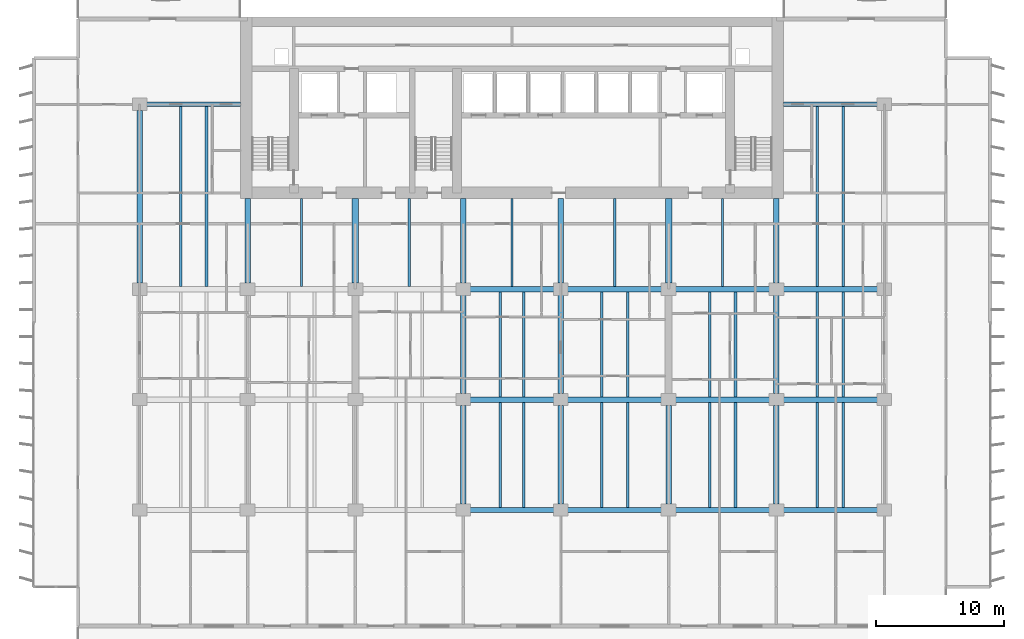
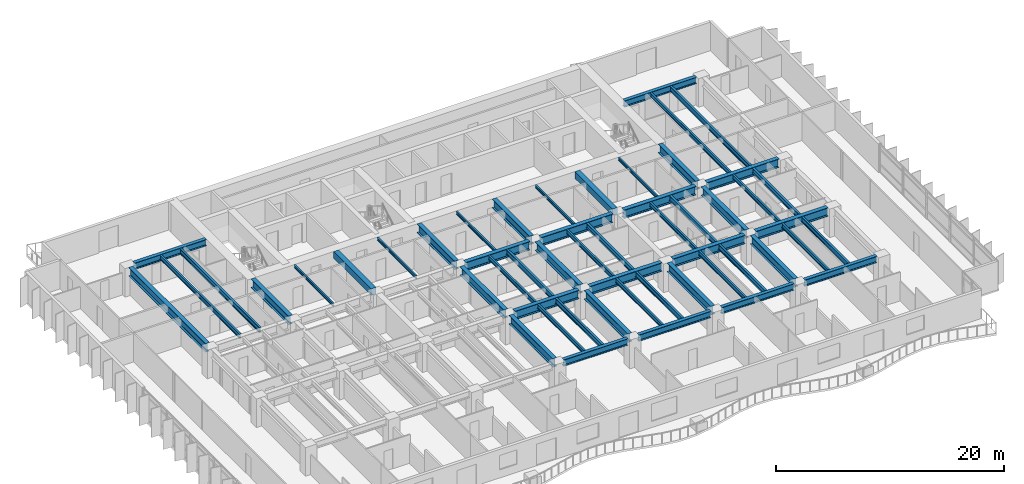
# One storey, part 3 of 17: 53 beams.
"""IFC4 building model written with IfcOpenShell, lengths in metres."""

from ifc_helpers import new_model, si_unit, direction, frame, origin, origin_2d, place, context, subcontext, project, spatial, rectangle, i_section, extrude, material, material_profile, profile_set, type_object, element, save


model = new_model("IFC4")

# Units and contexts
model_context = context("Model", 3, precision=1e-05, world=origin(), true_north=direction((0.0, 1.0)))
body_context = subcontext(model_context, "Body", "Model", "MODEL_VIEW")
ifc_project = project(units=[si_unit("LENGTHUNIT", "METRE"), si_unit("AREAUNIT", "SQUARE_METRE"), si_unit("VOLUMEUNIT", "CUBIC_METRE"), si_unit("PLANEANGLEUNIT", "RADIAN"), si_unit("MASSUNIT", "GRAM", prefix="KILO")], contexts=[model_context])

# Site, building, storey
site_placement = place(None, origin())
site = spatial("IfcSite", under=ifc_project, at=site_placement, CompositionType="ELEMENT")
building_placement = place(site_placement, origin())
building = spatial("IfcBuilding", under=site, at=building_placement, Name="Caelmar Bay Residences", CompositionType="ELEMENT")
storey_placement = place(building_placement, frame((0.0, 0.0, 33.300048828125)))
storey = spatial("IfcBuildingStorey", under=building, at=storey_placement, Name="L07", CompositionType="ELEMENT", Elevation=33.300048828125)

# Beams
ifc_material_1 = material(Name="Steel ASTM A992 Grade 50", Category="steel")
ifc_material_profile_1 = material_profile(ifc_material_1, i_section(OverallWidth=0.422119140625, OverallDepth=0.925048828125, WebThickness=0.021240234375, FlangeThickness=0.03662109375, FilletRadius=0.020263671875, at=origin_2d()), Name="W36X262")
ifc_profile_set_1 = profile_set([ifc_material_profile_1], Name="Steel ASTM A992 Grade 50")
beam_type_1 = type_object("IfcBeamType", Name="BM-GRD-W36X262", PredefinedType="BEAM", material=ifc_profile_set_1)
beam_1_placement = place(storey_placement, frame((35.639892578125, 20.800048828125, 2.58740234375), z_axis=(1.0, 0.0, 0.0), x_axis=(0.0, 1.0, 0.0)))
element("IfcBeam", 1, at=beam_1_placement, inside=storey, type_object=beam_type_1, Name="L07 East-West Girder Y=20.80 (35.1-42.7)", PredefinedType="BEAM", context=body_context, shape_type="SweptSolid", body=[
    extrude(i_section(OverallWidth=0.422119140625, OverallDepth=0.925048828125, WebThickness=0.021240234375, FlangeThickness=0.03662109375, FilletRadius=0.020263671875, at=origin_2d()), origin(), (0.0, 0.0, 1.0), 6.52001953125),
])
for number, where, z_axis, x_axis, name in (
    (2, (43.239990234375, 20.800048828125, 2.58740234375), (1.0, 0.0, 0.0), (0.0, 1.0, 0.0), "L07 East-West Girder Y=20.80 (42.7-51.1)"),
    (3, (51.639892578125, 20.800048828125, 2.58740234375), (1.0, 0.0, 0.0), (0.0, 1.0, 0.0), "L07 East-West Girder Y=20.80 (51.1-59.5)"),
    (4, (60.0400390625, 20.800048828125, 2.58740234375), (1.0, 0.0, 0.0), (0.0, 1.0, 0.0), "L07 East-West Girder Y=20.80 (59.5-67.9)"),
):
    element("IfcBeam", number, at=place(storey_placement, frame(where, z_axis=z_axis, x_axis=x_axis)), inside=storey, type_object=beam_type_1, Name=name, PredefinedType="BEAM", context=body_context, shape_type="SweptSolid", body=[
        extrude(i_section(OverallWidth=0.422119140625, OverallDepth=0.925048828125, WebThickness=0.021240234375, FlangeThickness=0.03662109375, FilletRadius=0.020263671875, at=origin_2d()), origin(), (0.0, 0.0, 1.0), 7.320068359375),
    ])
beam_2_placement = place(storey_placement, frame((35.639892578125, 29.39990234375, 2.58740234375), z_axis=(1.0, 0.0, 0.0), x_axis=(0.0, 1.0, 0.0)))
element("IfcBeam", 5, at=beam_2_placement, inside=storey, type_object=beam_type_1, Name="L07 East-West Girder Y=29.40 (35.1-42.7)", PredefinedType="BEAM", context=body_context, shape_type="SweptSolid", body=[
    extrude(i_section(OverallWidth=0.422119140625, OverallDepth=0.925048828125, WebThickness=0.021240234375, FlangeThickness=0.03662109375, FilletRadius=0.020263671875, at=origin_2d()), origin(), (0.0, 0.0, 1.0), 6.52001953125),
])
for number, where, z_axis, x_axis, name in (
    (6, (43.239990234375, 29.39990234375, 2.58740234375), (1.0, 0.0, 0.0), (0.0, 1.0, 0.0), "L07 East-West Girder Y=29.40 (42.7-51.1)"),
    (7, (51.639892578125, 29.39990234375, 2.58740234375), (1.0, 0.0, 0.0), (0.0, 1.0, 0.0), "L07 East-West Girder Y=29.40 (51.1-59.5)"),
    (8, (60.0400390625, 29.39990234375, 2.58740234375), (1.0, 0.0, 0.0), (0.0, 1.0, 0.0), "L07 East-West Girder Y=29.40 (59.5-67.9)"),
):
    element("IfcBeam", number, at=place(storey_placement, frame(where, z_axis=z_axis, x_axis=x_axis)), inside=storey, type_object=beam_type_1, Name=name, PredefinedType="BEAM", context=body_context, shape_type="SweptSolid", body=[
        extrude(i_section(OverallWidth=0.422119140625, OverallDepth=0.925048828125, WebThickness=0.021240234375, FlangeThickness=0.03662109375, FilletRadius=0.020263671875, at=origin_2d()), origin(), (0.0, 0.0, 1.0), 7.320068359375),
    ])
beam_3_placement = place(storey_placement, frame((9.89990234375, 29.864990234375, 2.58740234375), z_axis=(0.0, 1.0, 0.0), x_axis=(-1.0, 0.0, 0.0)))
element("IfcBeam", 9, at=beam_3_placement, inside=storey, type_object=beam_type_1, Name="L07 North-South Girder X=9.90 (29.4-43.8)", PredefinedType="BEAM", context=body_context, shape_type="SweptSolid", body=[
    extrude(i_section(OverallWidth=0.422119140625, OverallDepth=0.925048828125, WebThickness=0.021240234375, FlangeThickness=0.03662109375, FilletRadius=0.020263671875, at=origin_2d()), origin(), (0.0, 0.0, 1.0), 13.469970703125),
])
for number, where, z_axis, x_axis, name in (
    (10, (18.300048828125, 29.864990234375, 2.58740234375), (0.0, 1.0, 0.0), (-1.0, 0.0, 0.0), "L07 Core Tie Girder X=18.30"),
    (11, (35.10009765625, 29.864990234375, 2.58740234375), (0.0, 1.0, 0.0), (-1.0, 0.0, 0.0), "L07 Core Tie Girder X=35.10"),
):
    element("IfcBeam", number, at=place(storey_placement, frame(where, z_axis=z_axis, x_axis=x_axis)), inside=storey, type_object=beam_type_1, Name=name, PredefinedType="BEAM", context=body_context, shape_type="SweptSolid", body=[
        extrude(i_section(OverallWidth=0.422119140625, OverallDepth=0.925048828125, WebThickness=0.021240234375, FlangeThickness=0.03662109375, FilletRadius=0.020263671875, at=origin_2d()), origin(), (0.0, 0.0, 1.0), 6.5849609375),
    ])
beam_4_placement = place(storey_placement, frame((35.10009765625, 12.6650390625, 2.58740234375), z_axis=(0.0, 1.0, 0.0), x_axis=(-1.0, 0.0, 0.0)))
element("IfcBeam", 12, at=beam_4_placement, inside=storey, type_object=beam_type_1, Name="L07 North-South Girder X=35.10 (12.2-20.8)", PredefinedType="BEAM", context=body_context, shape_type="SweptSolid", body=[
    extrude(i_section(OverallWidth=0.422119140625, OverallDepth=0.925048828125, WebThickness=0.021240234375, FlangeThickness=0.03662109375, FilletRadius=0.020263671875, at=origin_2d()), origin(), (0.0, 0.0, 1.0), 7.669921875),
])
beam_5_placement = place(storey_placement, frame((35.10009765625, 21.264892578125, 2.58740234375), z_axis=(0.0, 1.0, 0.0), x_axis=(-1.0, 0.0, 0.0)))
element("IfcBeam", 13, at=beam_5_placement, inside=storey, type_object=beam_type_1, Name="L07 North-South Girder X=35.10 (20.8-29.4)", PredefinedType="BEAM", context=body_context, shape_type="SweptSolid", body=[
    extrude(i_section(OverallWidth=0.422119140625, OverallDepth=0.925048828125, WebThickness=0.021240234375, FlangeThickness=0.03662109375, FilletRadius=0.020263671875, at=origin_2d()), origin(), (0.0, 0.0, 1.0), 7.670166015625),
])
beam_6_placement = place(storey_placement, frame((42.699951171875, 29.864990234375, 2.58740234375), z_axis=(0.0, 1.0, 0.0), x_axis=(-1.0, 0.0, 0.0)))
element("IfcBeam", 14, at=beam_6_placement, inside=storey, type_object=beam_type_1, Name="L07 Core Tie Girder X=42.70", PredefinedType="BEAM", context=body_context, shape_type="SweptSolid", body=[
    extrude(i_section(OverallWidth=0.422119140625, OverallDepth=0.925048828125, WebThickness=0.021240234375, FlangeThickness=0.03662109375, FilletRadius=0.020263671875, at=origin_2d()), origin(), (0.0, 0.0, 1.0), 6.5849609375),
])
beam_7_placement = place(storey_placement, frame((42.699951171875, 12.6650390625, 2.58740234375), z_axis=(0.0, 1.0, 0.0), x_axis=(-1.0, 0.0, 0.0)))
element("IfcBeam", 15, at=beam_7_placement, inside=storey, type_object=beam_type_1, Name="L07 North-South Girder X=42.70 (12.2-20.8)", PredefinedType="BEAM", context=body_context, shape_type="SweptSolid", body=[
    extrude(i_section(OverallWidth=0.422119140625, OverallDepth=0.925048828125, WebThickness=0.021240234375, FlangeThickness=0.03662109375, FilletRadius=0.020263671875, at=origin_2d()), origin(), (0.0, 0.0, 1.0), 7.669921875),
])
beam_8_placement = place(storey_placement, frame((42.699951171875, 21.264892578125, 2.58740234375), z_axis=(0.0, 1.0, 0.0), x_axis=(-1.0, 0.0, 0.0)))
element("IfcBeam", 16, at=beam_8_placement, inside=storey, type_object=beam_type_1, Name="L07 North-South Girder X=42.70 (20.8-29.4)", PredefinedType="BEAM", context=body_context, shape_type="SweptSolid", body=[
    extrude(i_section(OverallWidth=0.422119140625, OverallDepth=0.925048828125, WebThickness=0.021240234375, FlangeThickness=0.03662109375, FilletRadius=0.020263671875, at=origin_2d()), origin(), (0.0, 0.0, 1.0), 7.670166015625),
])
beam_9_placement = place(storey_placement, frame((51.10009765625, 12.6650390625, 2.58740234375), z_axis=(0.0, 1.0, 0.0), x_axis=(-1.0, 0.0, 0.0)))
element("IfcBeam", 17, at=beam_9_placement, inside=storey, type_object=beam_type_1, Name="L07 North-South Girder X=51.10 (12.2-20.8)", PredefinedType="BEAM", context=body_context, shape_type="SweptSolid", body=[
    extrude(i_section(OverallWidth=0.422119140625, OverallDepth=0.925048828125, WebThickness=0.021240234375, FlangeThickness=0.03662109375, FilletRadius=0.020263671875, at=origin_2d()), origin(), (0.0, 0.0, 1.0), 7.669921875),
])
beam_10_placement = place(storey_placement, frame((59.5, 29.864990234375, 2.58740234375), z_axis=(0.0, 1.0, 0.0), x_axis=(-1.0, 0.0, 0.0)))
element("IfcBeam", 18, at=beam_10_placement, inside=storey, type_object=beam_type_1, Name="L07 Core Tie Girder X=59.50", PredefinedType="BEAM", context=body_context, shape_type="SweptSolid", body=[
    extrude(i_section(OverallWidth=0.422119140625, OverallDepth=0.925048828125, WebThickness=0.021240234375, FlangeThickness=0.03662109375, FilletRadius=0.020263671875, at=origin_2d()), origin(), (0.0, 0.0, 1.0), 6.5849609375),
])
beam_11_placement = place(storey_placement, frame((59.5, 12.6650390625, 2.58740234375), z_axis=(0.0, 1.0, 0.0), x_axis=(-1.0, 0.0, 0.0)))
element("IfcBeam", 19, at=beam_11_placement, inside=storey, type_object=beam_type_1, Name="L07 North-South Girder X=59.50 (12.2-20.8)", PredefinedType="BEAM", context=body_context, shape_type="SweptSolid", body=[
    extrude(i_section(OverallWidth=0.422119140625, OverallDepth=0.925048828125, WebThickness=0.021240234375, FlangeThickness=0.03662109375, FilletRadius=0.020263671875, at=origin_2d()), origin(), (0.0, 0.0, 1.0), 7.669921875),
])
beam_12_placement = place(storey_placement, frame((59.5, 21.264892578125, 2.58740234375), z_axis=(0.0, 1.0, 0.0), x_axis=(-1.0, 0.0, 0.0)))
element("IfcBeam", 20, at=beam_12_placement, inside=storey, type_object=beam_type_1, Name="L07 North-South Girder X=59.50 (20.8-29.4)", PredefinedType="BEAM", context=body_context, shape_type="SweptSolid", body=[
    extrude(i_section(OverallWidth=0.422119140625, OverallDepth=0.925048828125, WebThickness=0.021240234375, FlangeThickness=0.03662109375, FilletRadius=0.020263671875, at=origin_2d()), origin(), (0.0, 0.0, 1.0), 7.670166015625),
])
ifc_material_profile_2 = material_profile(ifc_material_1, i_section(OverallWidth=0.1650390625, OverallDepth=0.31005859375, WebThickness=0.005859375, FlangeThickness=0.009765625, FilletRadius=0.007568359375, at=origin_2d()), Name="W12X26")
ifc_profile_set_2 = profile_set([ifc_material_profile_2], Name="Steel ASTM A992 Grade 50")
beam_type_2 = type_object("IfcBeamType", Name="BM-JST-W12X26", PredefinedType="JOIST", material=ifc_profile_set_2)
for number, where, z_axis, x_axis, name in (
    (21, (22.5, 29.611083984375, 2.89501953125), (0.0, 1.0, 0.0), (-1.0, 0.0, 0.0), "L07 Core-Band Composite Joist 29"),
    (22, (30.89990234375, 29.611083984375, 2.89501953125), (0.0, 1.0, 0.0), (-1.0, 0.0, 0.0), "L07 Core-Band Composite Joist 30"),
    (23, (38.89990234375, 29.611083984375, 2.89501953125), (0.0, 1.0, 0.0), (-1.0, 0.0, 0.0), "L07 Core-Band Composite Joist 31"),
    (24, (46.89990234375, 29.611083984375, 2.89501953125), (0.0, 1.0, 0.0), (-1.0, 0.0, 0.0), "L07 Core-Band Composite Joist 32"),
    (25, (55.300048828125, 29.611083984375, 2.89501953125), (0.0, 1.0, 0.0), (-1.0, 0.0, 0.0), "L07 Core-Band Composite Joist 33"),
):
    element("IfcBeam", number, at=place(storey_placement, frame(where, z_axis=z_axis, x_axis=x_axis)), inside=storey, type_object=beam_type_2, Name=name, PredefinedType="JOIST", context=body_context, shape_type="SweptSolid", body=[
        extrude(i_section(OverallWidth=0.1650390625, OverallDepth=0.31005859375, WebThickness=0.005859375, FlangeThickness=0.009765625, FilletRadius=0.007568359375, at=origin_2d()), origin(), (0.0, 0.0, 1.0), 6.8388671875),
    ])
ifc_material_profile_3 = material_profile(ifc_material_1, i_section(OverallWidth=0.19091796875, OverallDepth=0.45703125, WebThickness=0.009033203125, FlangeThickness=0.014404296875, FilletRadius=0.01025390625, at=origin_2d()), Name="W18X50")
ifc_profile_set_3 = profile_set([ifc_material_profile_3], Name="Steel ASTM A992 Grade 50")
beam_type_3 = type_object("IfcBeamType", Name="BM-JST-W18X50", PredefinedType="JOIST", material=ifc_profile_set_3)
for number, where, z_axis, x_axis, name in (
    (26, (37.988037109375, 12.3779296875, 2.821533203125), (0.0, 1.0, 0.0), (-1.0, 0.0, 0.0), "L07 Composite Floor Joist 7"),
    (27, (45.89208984375, 12.3779296875, 2.821533203125), (0.0, 1.0, 0.0), (-1.0, 0.0, 0.0), "L07 Composite Floor Joist 9"),
    (28, (54.2919921875, 12.3779296875, 2.821533203125), (0.0, 1.0, 0.0), (-1.0, 0.0, 0.0), "L07 Composite Floor Joist 11"),
    (29, (62.69189453125, 12.3779296875, 2.821533203125), (0.0, 1.0, 0.0), (-1.0, 0.0, 0.0), "L07 Composite Floor Joist 13"),
):
    element("IfcBeam", number, at=place(storey_placement, frame(where, z_axis=z_axis, x_axis=x_axis)), inside=storey, type_object=beam_type_3, Name=name, PredefinedType="JOIST", context=body_context, shape_type="SweptSolid", body=[
        extrude(i_section(OverallWidth=0.19091796875, OverallDepth=0.45703125, WebThickness=0.009033203125, FlangeThickness=0.014404296875, FilletRadius=0.01025390625, at=origin_2d()), origin(), (0.0, 0.0, 1.0), 8.211181640625),
    ])
for number, where, z_axis, x_axis, name in (
    (30, (37.988037109375, 21.010986328125, 2.821533203125), (0.0, 1.0, 0.0), (-1.0, 0.0, 0.0), "L07 Composite Floor Joist 21"),
    (31, (45.89208984375, 21.010986328125, 2.821533203125), (0.0, 1.0, 0.0), (-1.0, 0.0, 0.0), "L07 Composite Floor Joist 23"),
    (32, (54.2919921875, 21.010986328125, 2.821533203125), (0.0, 1.0, 0.0), (-1.0, 0.0, 0.0), "L07 Composite Floor Joist 25"),
    (33, (62.69189453125, 21.010986328125, 2.821533203125), (0.0, 1.0, 0.0), (-1.0, 0.0, 0.0), "L07 Composite Floor Joist 27"),
):
    element("IfcBeam", number, at=place(storey_placement, frame(where, z_axis=z_axis, x_axis=x_axis)), inside=storey, type_object=beam_type_3, Name=name, PredefinedType="JOIST", context=body_context, shape_type="SweptSolid", body=[
        extrude(i_section(OverallWidth=0.19091796875, OverallDepth=0.45703125, WebThickness=0.009033203125, FlangeThickness=0.014404296875, FilletRadius=0.01025390625, at=origin_2d()), origin(), (0.0, 0.0, 1.0), 8.177978515625),
    ])
for number, where, z_axis, x_axis, name in (
    (34, (13.092041015625, 29.611083984375, 2.821533203125), (0.0, 1.0, 0.0), (-1.0, 0.0, 0.0), "L07 Composite Floor Joist 34"),
    (35, (62.69189453125, 29.611083984375, 2.821533203125), (0.0, 1.0, 0.0), (-1.0, 0.0, 0.0), "L07 Composite Floor Joist 36"),
):
    element("IfcBeam", number, at=place(storey_placement, frame(where, z_axis=z_axis, x_axis=x_axis)), inside=storey, type_object=beam_type_3, Name=name, PredefinedType="JOIST", context=body_context, shape_type="SweptSolid", body=[
        extrude(i_section(OverallWidth=0.19091796875, OverallDepth=0.45703125, WebThickness=0.009033203125, FlangeThickness=0.014404296875, FilletRadius=0.01025390625, at=origin_2d()), origin(), (0.0, 0.0, 1.0), 14.010986328125),
    ])
ifc_material_profile_4 = material_profile(ifc_material_1, i_section(OverallWidth=0.214111328125, OverallDepth=0.549072265625, WebThickness=0.0146484375, FlangeThickness=0.023681640625, FilletRadius=0.0126953125, at=origin_2d()), Name="W21X93")
ifc_profile_set_4 = profile_set([ifc_material_profile_4], Name="Steel ASTM A992 Grade 50")
beam_type_4 = type_object("IfcBeamType", Name="BM-JST-W21X93", PredefinedType="JOIST", material=ifc_profile_set_4)
for number, where, z_axis, x_axis, name in (
    (36, (39.81201171875, 12.3779296875, 2.775390625), (0.0, 1.0, 0.0), (-1.0, 0.0, 0.0), "L07 Composite Floor Joist 8"),
    (37, (47.907958984375, 12.3779296875, 2.775390625), (0.0, 1.0, 0.0), (-1.0, 0.0, 0.0), "L07 Composite Floor Joist 10"),
    (38, (56.30810546875, 12.3779296875, 2.775390625), (0.0, 1.0, 0.0), (-1.0, 0.0, 0.0), "L07 Composite Floor Joist 12"),
    (39, (64.7080078125, 12.3779296875, 2.775390625), (0.0, 1.0, 0.0), (-1.0, 0.0, 0.0), "L07 Composite Floor Joist 14"),
):
    element("IfcBeam", number, at=place(storey_placement, frame(where, z_axis=z_axis, x_axis=x_axis)), inside=storey, type_object=beam_type_4, Name=name, PredefinedType="JOIST", context=body_context, shape_type="SweptSolid", body=[
        extrude(i_section(OverallWidth=0.214111328125, OverallDepth=0.549072265625, WebThickness=0.0146484375, FlangeThickness=0.023681640625, FilletRadius=0.0126953125, at=origin_2d()), origin(), (0.0, 0.0, 1.0), 8.211181640625),
    ])
for number, where, z_axis, x_axis, name in (
    (40, (39.81201171875, 21.010986328125, 2.775390625), (0.0, 1.0, 0.0), (-1.0, 0.0, 0.0), "L07 Composite Floor Joist 22"),
    (41, (47.907958984375, 21.010986328125, 2.775390625), (0.0, 1.0, 0.0), (-1.0, 0.0, 0.0), "L07 Composite Floor Joist 24"),
    (42, (56.30810546875, 21.010986328125, 2.775390625), (0.0, 1.0, 0.0), (-1.0, 0.0, 0.0), "L07 Composite Floor Joist 26"),
    (43, (64.7080078125, 21.010986328125, 2.775390625), (0.0, 1.0, 0.0), (-1.0, 0.0, 0.0), "L07 Composite Floor Joist 28"),
):
    element("IfcBeam", number, at=place(storey_placement, frame(where, z_axis=z_axis, x_axis=x_axis)), inside=storey, type_object=beam_type_4, Name=name, PredefinedType="JOIST", context=body_context, shape_type="SweptSolid", body=[
        extrude(i_section(OverallWidth=0.214111328125, OverallDepth=0.549072265625, WebThickness=0.0146484375, FlangeThickness=0.023681640625, FilletRadius=0.0126953125, at=origin_2d()), origin(), (0.0, 0.0, 1.0), 8.177978515625),
    ])
for number, where, z_axis, x_axis, name in (
    (44, (15.10791015625, 29.611083984375, 2.775390625), (0.0, 1.0, 0.0), (-1.0, 0.0, 0.0), "L07 Composite Floor Joist 35"),
    (45, (64.7080078125, 29.611083984375, 2.775390625), (0.0, 1.0, 0.0), (-1.0, 0.0, 0.0), "L07 Composite Floor Joist 37"),
):
    element("IfcBeam", number, at=place(storey_placement, frame(where, z_axis=z_axis, x_axis=x_axis)), inside=storey, type_object=beam_type_4, Name=name, PredefinedType="JOIST", context=body_context, shape_type="SweptSolid", body=[
        extrude(i_section(OverallWidth=0.214111328125, OverallDepth=0.549072265625, WebThickness=0.0146484375, FlangeThickness=0.023681640625, FilletRadius=0.0126953125, at=origin_2d()), origin(), (0.0, 0.0, 1.0), 14.010986328125),
    ])
ifc_material_2 = material(Name="Concrete f'c 55 MPa (8,000 psi)", Category="concrete")
ifc_material_profile_5 = material_profile(ifc_material_2, rectangle(XDim=0.5, YDim=0.699951171875, at=origin_2d()), Name="RC-BM-500X700")
ifc_profile_set_5 = profile_set([ifc_material_profile_5], Name="Concrete f'c 55 MPa (8,000 psi)")
beam_type_5 = type_object("IfcBeamType", Name="BM-RC-500X700", PredefinedType="LINTEL", material=ifc_profile_set_5)
for number, where, z_axis, x_axis, name in (
    (46, (26.699951171875, 29.864990234375, 2.699951171875), (0.0, 1.0, 0.0), (-1.0, 0.0, 0.0), "L07 Shear-Wall Corridor Coupling Lintel W5"),
    (47, (51.10009765625, 29.864990234375, 2.699951171875), (0.0, 1.0, 0.0), (-1.0, 0.0, 0.0), "L07 Shear-Wall Corridor Coupling Lintel E8"),
):
    element("IfcBeam", number, at=place(storey_placement, frame(where, z_axis=z_axis, x_axis=x_axis)), inside=storey, type_object=beam_type_5, Name=name, PredefinedType="LINTEL", context=body_context, shape_type="SweptSolid", body=[
        extrude(rectangle(XDim=0.5, YDim=0.699951171875, at=origin_2d()), origin(), (0.0, 0.0, 1.0), 6.5849609375),
    ])
ifc_material_profile_6 = material_profile(ifc_material_1, i_section(OverallWidth=0.35595703125, OverallDepth=0.696044921875, WebThickness=0.015380859375, FlangeThickness=0.02490234375, FilletRadius=0.01513671875, at=origin_2d()), Name="W27X146")
ifc_profile_set_6 = profile_set([ifc_material_profile_6], Name="Steel ASTM A992 Grade 50")
beam_type_6 = type_object("IfcBeamType", Name="BM-SPN-W27X146", PredefinedType="SPANDREL", material=ifc_profile_set_6)
beam_13_placement = place(storey_placement, frame((35.639892578125, 12.199951171875, 2.701904296875), z_axis=(1.0, 0.0, 0.0), x_axis=(0.0, 1.0, 0.0)))
element("IfcBeam", 48, at=beam_13_placement, inside=storey, type_object=beam_type_6, Name="L07 East-West Girder Y=12.20 (35.1-42.7)", PredefinedType="SPANDREL", context=body_context, shape_type="SweptSolid", body=[
    extrude(i_section(OverallWidth=0.35595703125, OverallDepth=0.696044921875, WebThickness=0.015380859375, FlangeThickness=0.02490234375, FilletRadius=0.01513671875, at=origin_2d()), origin(), (0.0, 0.0, 1.0), 6.52001953125),
])
for number, where, z_axis, x_axis, name in (
    (49, (43.239990234375, 12.199951171875, 2.701904296875), (1.0, 0.0, 0.0), (0.0, 1.0, 0.0), "L07 East-West Girder Y=12.20 (42.7-51.1)"),
    (50, (51.639892578125, 12.199951171875, 2.701904296875), (1.0, 0.0, 0.0), (0.0, 1.0, 0.0), "L07 East-West Girder Y=12.20 (51.1-59.5)"),
    (51, (60.0400390625, 12.199951171875, 2.701904296875), (1.0, 0.0, 0.0), (0.0, 1.0, 0.0), "L07 East-West Girder Y=12.20 (59.5-67.9)"),
):
    element("IfcBeam", number, at=place(storey_placement, frame(where, z_axis=z_axis, x_axis=x_axis)), inside=storey, type_object=beam_type_6, Name=name, PredefinedType="SPANDREL", context=body_context, shape_type="SweptSolid", body=[
        extrude(i_section(OverallWidth=0.35595703125, OverallDepth=0.696044921875, WebThickness=0.015380859375, FlangeThickness=0.02490234375, FilletRadius=0.01513671875, at=origin_2d()), origin(), (0.0, 0.0, 1.0), 7.320068359375),
    ])
for number, where, z_axis, x_axis, name in (
    (52, (10.43994140625, 43.800048828125, 2.701904296875), (1.0, 0.0, 0.0), (0.0, 1.0, 0.0), "L07 North-West Wing Core Tie Girder"),
    (53, (60.050048828125, 43.800048828125, 2.701904296875), (1.0, 0.0, 0.0), (0.0, 1.0, 0.0), "L07 North-East Wing Core Tie Girder"),
):
    element("IfcBeam", number, at=place(storey_placement, frame(where, z_axis=z_axis, x_axis=x_axis)), inside=storey, type_object=beam_type_6, Name=name, PredefinedType="SPANDREL", context=body_context, shape_type="SweptSolid", body=[
        extrude(i_section(OverallWidth=0.35595703125, OverallDepth=0.696044921875, WebThickness=0.015380859375, FlangeThickness=0.02490234375, FilletRadius=0.01513671875, at=origin_2d()), origin(), (0.0, 0.0, 1.0), 7.31005859375),
    ])

save(model, "model.ifc")
